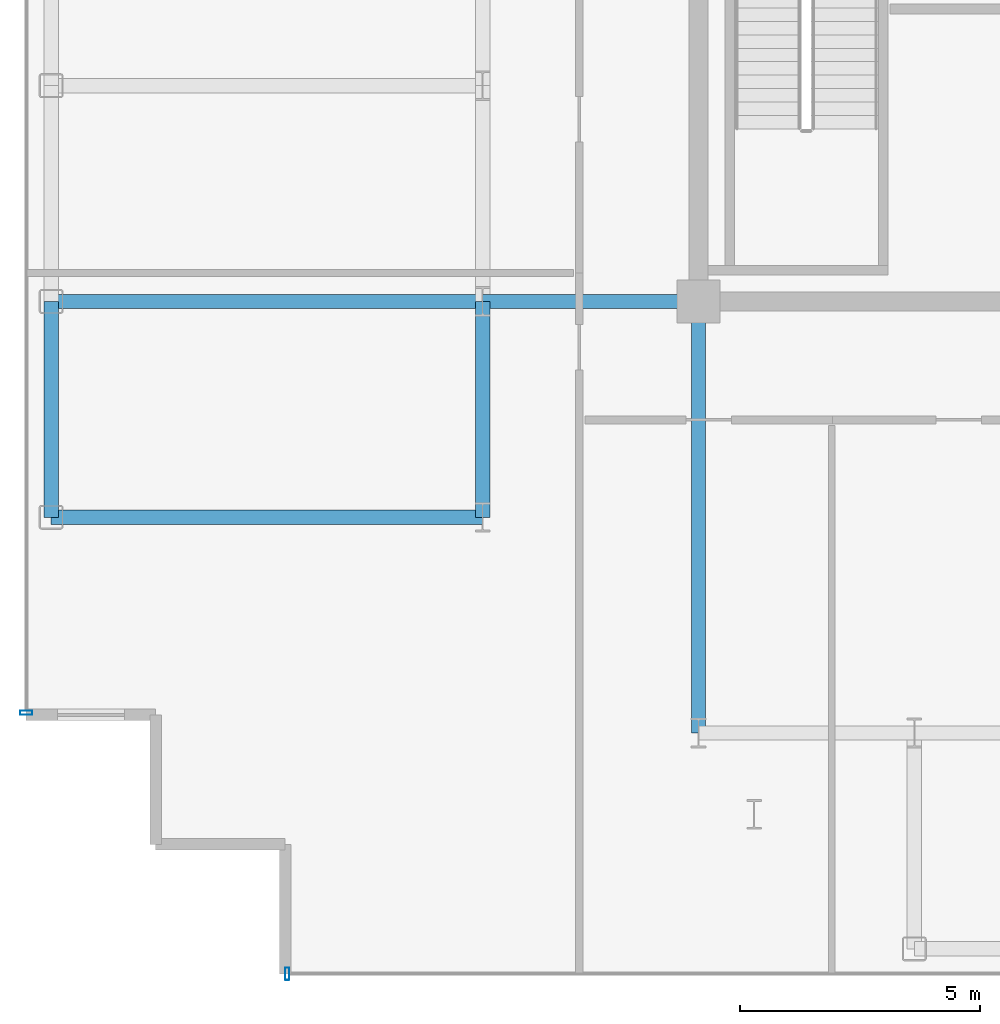
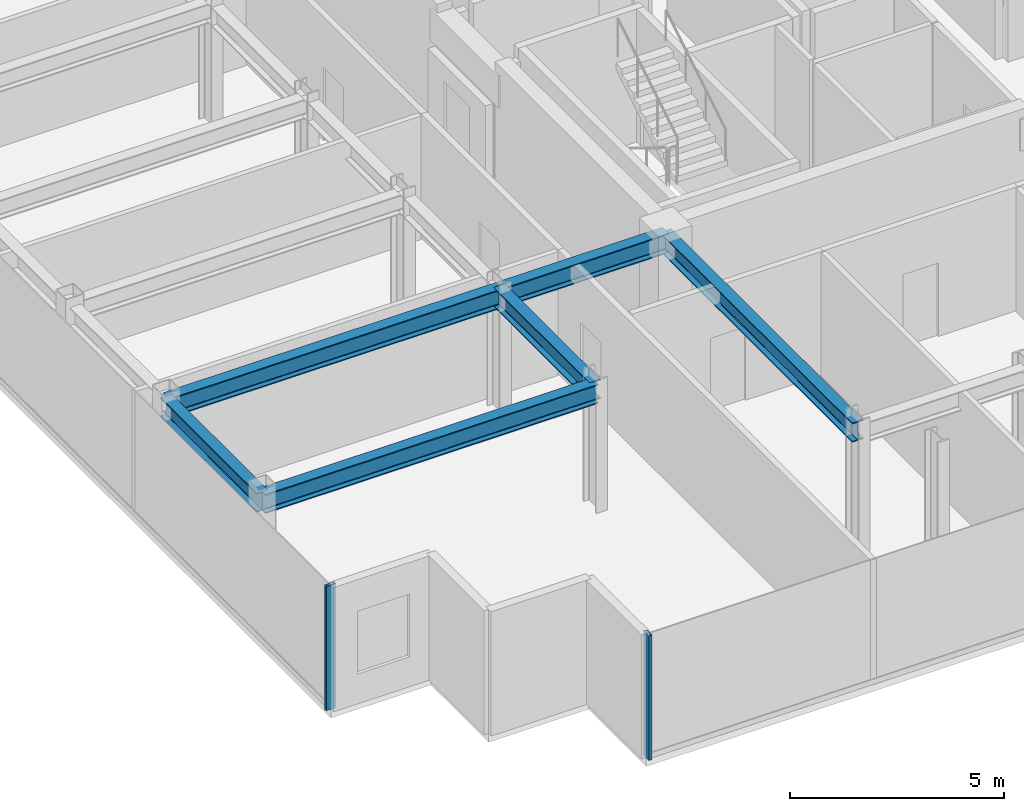
# One storey, part 2 of 18: 6 beams, 2 members, 2 elements without a shape of their own.
"""IFC4 building model written with IfcOpenShell, lengths in metres."""

from ifc_helpers import new_model, si_unit, direction, frame, origin, origin_2d, place, context, subcontext, project, spatial, hollow_rectangle, i_section, extrude, source, transform, mapped, material, layer, layer_set, material_profile, profile_set, type_object, element, aggregate, save


model = new_model("IFC4")

# Units and contexts
model_context = context("Model", 3, precision=1e-05, world=origin(), true_north=direction((0.0, 1.0)))
body_context = subcontext(model_context, "Body", "Model", "MODEL_VIEW")
ifc_project = project(units=[si_unit("LENGTHUNIT", "METRE"), si_unit("AREAUNIT", "SQUARE_METRE"), si_unit("VOLUMEUNIT", "CUBIC_METRE"), si_unit("PLANEANGLEUNIT", "RADIAN"), si_unit("MASSUNIT", "GRAM", prefix="KILO")], contexts=[model_context])

# Site, building, storey
site_placement = place(None, origin())
site = spatial("IfcSite", under=ifc_project, at=site_placement, CompositionType="ELEMENT")
building_placement = place(site_placement, origin())
building = spatial("IfcBuilding", under=site, at=building_placement, Name="Nefas-Gora Pilgrimage Tower", CompositionType="ELEMENT")
storey_placement = place(building_placement, frame((0.0, 0.0, 330.0)))
storey = spatial("IfcBuildingStorey", under=building, at=storey_placement, Name="L83", CompositionType="ELEMENT", Elevation=330.0)

# Beams
ifc_material_1 = material(Name="Steel S355", Category="steel")
ifc_material_profile_1 = material_profile(ifc_material_1, i_section(OverallWidth=0.300048828125, OverallDepth=0.550048828125, WebThickness=0.014892578125, FlangeThickness=0.029052734375, FilletRadius=0.027099609375, at=origin_2d()), Name="HEB 550")
ifc_profile_set_1 = profile_set([ifc_material_profile_1], Name="Steel S355")
beam_type_1 = type_object("IfcBeamType", Name="BM-SPN-HEB400", PredefinedType="SPANDREL", material=ifc_profile_set_1)
shared_shape_1 = source(origin(), body_context, "Body", "SweptSolid", [
    extrude(i_section(OverallWidth=0.300048828125, OverallDepth=0.550048828125, WebThickness=0.014892578125, FlangeThickness=0.029052734375, FilletRadius=0.027099609375, at=origin_2d()), origin(), (0.0, 0.0, 1.0), 4.5),
])
beam_placement = place(storey_placement, frame((-24.75, -13.5, 3.27490234375), z_axis=(0.0, 1.0, 0.0), x_axis=(-1.0, 0.0, 0.0)))
element("IfcBeam", 1, at=beam_placement, inside=storey, type_object=beam_type_1, Name="L83 SP-04 beam", PredefinedType="SPANDREL", context=body_context, shape_type="MappedRepresentation", body=[
    mapped(shared_shape_1, transform((0.0, 0.0, 0.0), x_axis=(1.0, 0.0, 0.0), y_axis=(0.0, 1.0, 0.0), z_axis=(0.0, 0.0, 1.0), scale=1.0)),
])
ifc_material_profile_2 = material_profile(ifc_material_1, i_section(OverallWidth=0.300048828125, OverallDepth=0.550048828125, WebThickness=0.014892578125, FlangeThickness=0.029052734375, FilletRadius=0.027099609375, at=origin_2d()), Name="HEB 550")
ifc_profile_set_2 = profile_set([ifc_material_profile_2], Name="Steel S355")
beam_type_2 = type_object("IfcBeamType", Name="BM-GIR-HEB550", PredefinedType="BEAM", material=ifc_profile_set_2)
shared_shape_2 = source(origin(), body_context, "Body", "SweptSolid", [
    extrude(i_section(OverallWidth=0.300048828125, OverallDepth=0.550048828125, WebThickness=0.014892578125, FlangeThickness=0.029052734375, FilletRadius=0.027099609375, at=origin_2d()), origin(), (0.0, 0.0, 1.0), 9.0),
])
for number, where, z_axis, x_axis, name in (
    (2, (-24.75, -13.5, 3.27490234375), (1.0, 0.0, 0.0), (0.0, 1.0, 0.0), "L83 G-05 beam"),
    (3, (-24.75, -9.0, 3.27490234375), (1.0, 0.0, 0.0), (0.0, 1.0, 0.0), "L83 G-05 beam"),
    (4, (-11.25, -18.0, 3.27490234375), (0.0, 1.0, 0.0), (-1.0, 0.0, 0.0), "L83 G-05 beam"),
):
    element("IfcBeam", number, at=place(storey_placement, frame(where, z_axis=z_axis, x_axis=x_axis)), inside=storey, type_object=beam_type_2, Name=name, PredefinedType="BEAM", context=body_context, shape_type="MappedRepresentation", body=[
        mapped(shared_shape_2, transform((0.0, 0.0, 0.0), x_axis=(1.0, 0.0, 0.0), y_axis=(0.0, 1.0, 0.0), z_axis=(0.0, 0.0, 1.0), scale=1.0)),
    ])
shared_shape_3 = source(origin(), body_context, "Body", "SweptSolid", [
    extrude(i_section(OverallWidth=0.300048828125, OverallDepth=0.550048828125, WebThickness=0.014892578125, FlangeThickness=0.029052734375, FilletRadius=0.027099609375, at=origin_2d()), origin(), (0.0, 0.0, 1.0), 4.5),
])
for number, where, z_axis, x_axis, name in (
    (5, (-15.75, -13.5, 3.27490234375), (0.0, 1.0, 0.0), (-1.0, 0.0, 0.0), "L83 G-05 beam"),
    (6, (-15.75, -9.0, 3.27490234375), (1.0, 0.0, 0.0), (0.0, 1.0, 0.0), "L83 G-05 beam"),
):
    element("IfcBeam", number, at=place(storey_placement, frame(where, z_axis=z_axis, x_axis=x_axis)), inside=storey, type_object=beam_type_2, Name=name, PredefinedType="BEAM", context=body_context, shape_type="MappedRepresentation", body=[
        mapped(shared_shape_3, transform((0.0, 0.0, 0.0), x_axis=(1.0, 0.0, 0.0), y_axis=(0.0, 1.0, 0.0), z_axis=(0.0, 0.0, 1.0), scale=1.0)),
    ])

# Curtain wall, member
ifc_material_2 = material(Name="Dark ceramic-fritted solar-control aluminium-glass curtain wall", Category="aluminium")
ifc_layer = layer(ifc_material_2, 0.219970703125)
ifc_layer_set = layer_set([ifc_layer], Name="Dark ceramic-fritted solar-control aluminium-glass curtain wall")
curtain_wall_type = type_object("IfcCurtainWallType", Name="CW-SYS-4", PredefinedType="NOTDEFINED", material=ifc_layer_set)
curtain_wall_1_placement = place(storey_placement, origin())
curtain_wall_1 = element("IfcCurtainWall", 7, at=curtain_wall_1_placement, inside=storey, type_object=curtain_wall_type, Name="L83 Unitised Curtain Wall CW4", PredefinedType="NOTDEFINED")
ifc_material_3 = material(Name="Anodised architectural aluminium", Category="aluminium")
ifc_material_profile_3 = material_profile(ifc_material_3, hollow_rectangle(XDim=0.090087890625, YDim=0.260009765625, WallThickness=0.006103515625, InnerFilletRadius=0.006103515625, OuterFilletRadius=0.011962890625, at=origin_2d()), Name="ALU MULLION 90x260")
ifc_profile_set_3 = profile_set([ifc_material_profile_3], Name="Anodised architectural aluminium")
member_type = type_object("IfcMemberType", Name="CWM-MUL-4", PredefinedType="MULLION", material=ifc_profile_set_3)
shared_shape_4 = source(origin(), body_context, "Body", "SweptSolid", [
    extrude(hollow_rectangle(XDim=0.090087890625, YDim=0.260009765625, WallThickness=0.006103515625, InnerFilletRadius=0.006103515625, OuterFilletRadius=0.011962890625, at=origin_2d()), origin(), (0.0, 0.0, 1.0), 3.550048828125),
])
member_1_placement = place(storey_placement, frame((-25.27001953125, -17.574951171875, 0.0), z_axis=(0.0, 0.0, 1.0), x_axis=(0.0, -1.0, 0.0)))
member_1 = element("IfcMember", 8, at=member_1_placement, type_object=member_type, Name="CW4 Mullion 3", PredefinedType="MULLION", context=body_context, shape_type="MappedRepresentation", body=[
    mapped(shared_shape_4, transform((0.0, 0.0, 0.0), x_axis=(1.0, 0.0, 0.0), y_axis=(0.0, 1.0, 0.0), z_axis=(0.0, 0.0, 1.0), scale=1.0)),
])
aggregate(curtain_wall_1, [member_1])

curtain_wall_2_placement = place(storey_placement, origin())
curtain_wall_2 = element("IfcCurtainWall", 9, at=curtain_wall_2_placement, inside=storey, type_object=curtain_wall_type, Name="L83 Unitised Curtain Wall CW4", PredefinedType="NOTDEFINED")
member_2_placement = place(storey_placement, frame((-19.824951171875, -23.02001953125, 0.0), z_axis=(0.0, 0.0, 1.0), x_axis=(1.0, 0.0, 0.0)))
member_2 = element("IfcMember", 10, at=member_2_placement, type_object=member_type, Name="CW4 Mullion 1", PredefinedType="MULLION", context=body_context, shape_type="MappedRepresentation", body=[
    mapped(shared_shape_4, transform((0.0, 0.0, 0.0), x_axis=(1.0, 0.0, 0.0), y_axis=(0.0, 1.0, 0.0), z_axis=(0.0, 0.0, 1.0), scale=1.0)),
])
aggregate(curtain_wall_2, [member_2])

save(model, "model.ifc")
